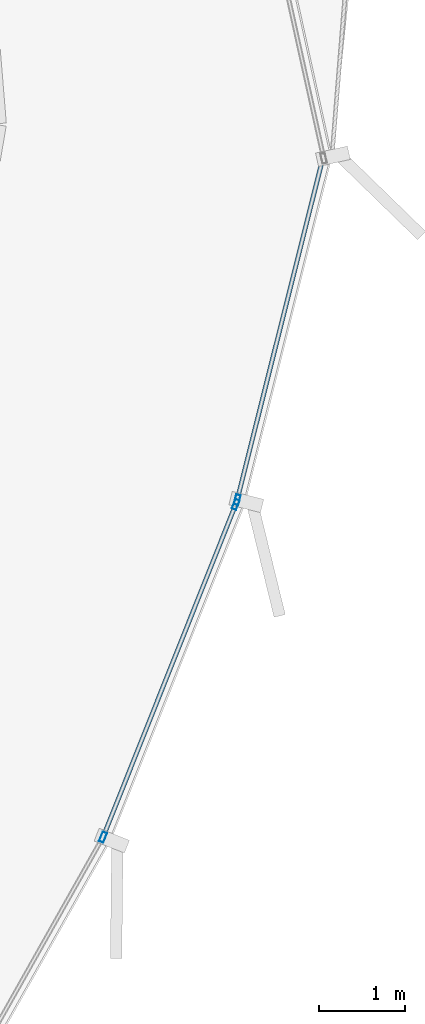
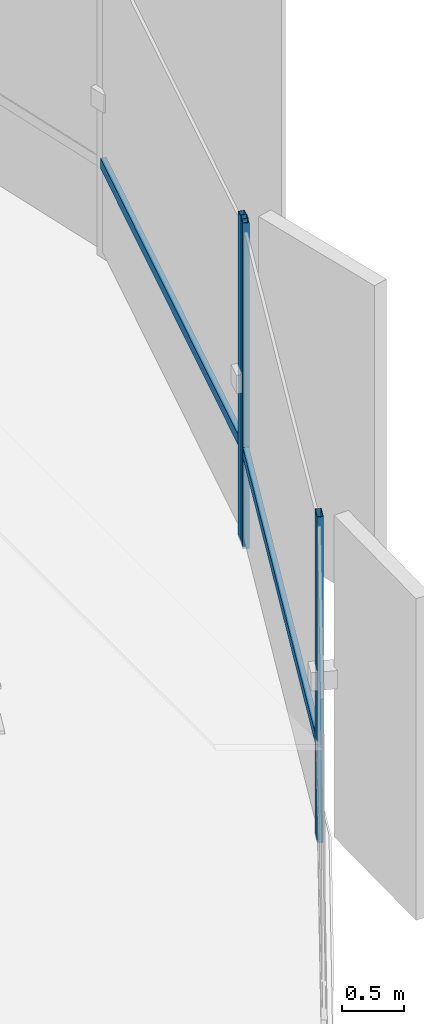
# One storey, part 15 of 34: 5 members, 2 elements without a shape of their own.
"""IFC4 building model written with IfcOpenShell, lengths in metres."""

from ifc_helpers import new_model, si_unit, direction, frame, origin, origin_2d, place, context, subcontext, project, spatial, hollow_rectangle, extrude, source, transform, mapped, material, layer, layer_set, material_profile, profile_set, type_object, element, aggregate, save


model = new_model("IFC4")

# Units and contexts
model_context = context("Model", 3, precision=1e-05, world=origin(), true_north=direction((0.0, 1.0)))
body_context = subcontext(model_context, "Body", "Model", "MODEL_VIEW")
ifc_project = project(units=[si_unit("LENGTHUNIT", "METRE"), si_unit("AREAUNIT", "SQUARE_METRE"), si_unit("VOLUMEUNIT", "CUBIC_METRE"), si_unit("PLANEANGLEUNIT", "RADIAN"), si_unit("MASSUNIT", "GRAM", prefix="KILO"), si_unit("THERMODYNAMICTEMPERATUREUNIT", "KELVIN")], contexts=[model_context])

# Site, building, storey
site_placement = place(None, origin())
site = spatial("IfcSite", under=ifc_project, at=site_placement, CompositionType="ELEMENT")
building_placement = place(site_placement, origin())
building = spatial("IfcBuilding", under=site, at=building_placement, Name="Kethvar Cultural Tower", CompositionType="ELEMENT")
storey_placement = place(building_placement, frame((0.0, 0.0, 231.85009765625)))
storey = spatial("IfcBuildingStorey", under=building, at=storey_placement, Name="L60", CompositionType="ELEMENT", Elevation=231.85009765625)

# Curtain wall, members
ifc_material = material(Name="Aluminium 6063-T6", Category="aluminium")
ifc_layer = layer(ifc_material, 0.179931640625, Name="Aluminium 6063-T6", Category="aluminium")
ifc_layer_set = layer_set([ifc_layer], Name="Aluminium 6063-T6 (180 mm)")
curtain_wall_type = type_object("IfcCurtainWallType", Name="CW-SYS-05-Z56", PredefinedType="NOTDEFINED", material=ifc_layer_set)
curtain_wall_1_placement = place(storey_placement, origin())
curtain_wall_1 = element("IfcCurtainWall", 1, at=curtain_wall_1_placement, inside=storey, type_object=curtain_wall_type, Name="L60 Curtain Wall Run 05", PredefinedType="NOTDEFINED")
ifc_material_profile_1 = material_profile(ifc_material, hollow_rectangle(XDim=0.054931640625, YDim=0.1201171875, WallThickness=0.00390625, at=origin_2d()), Name="Aluminium 6063-T6 — RHS120x55x4")
ifc_profile_set_1 = profile_set([ifc_material_profile_1], Name="Aluminium 6063-T6 — RHS120x55x4")
member_type_1 = type_object("IfcMemberType", Name="CW-SYS-05-Z56-MUL", PredefinedType="MULLION", material=ifc_profile_set_1)
shared_shape_1 = source(origin(), body_context, "Body", "SweptSolid", [
    extrude(hollow_rectangle(XDim=0.054931640625, YDim=0.1201171875, WallThickness=0.00390625, at=origin_2d()), origin(), (0.0, 0.0, 1.0), 3.2099609375),
])
member_1_placement = place(storey_placement, frame((65.69921875, 22.02099609375, 0.0), z_axis=(0.0, 0.0, 1.0), x_axis=(-0.928861283397, 0.37042774762, 0.0)))
member_1 = element("IfcMember", 2, at=member_1_placement, type_object=member_type_1, Name="CW-L60-R05 Mullion 6", PredefinedType="MULLION", context=body_context, shape_type="MappedRepresentation", body=[
    mapped(shared_shape_1, transform((0.0, 0.0, 0.0), scale=1.0)),
])
member_2_placement = place(storey_placement, frame((67.247802734375, 25.904052734375, 0.0), z_axis=(0.0, 0.0, 1.0), x_axis=(-0.928861283397, 0.37042774762, 0.0)))
member_2 = element("IfcMember", 3, at=member_2_placement, type_object=member_type_1, Name="CW-L60-R05 Mullion 7", PredefinedType="MULLION", context=body_context, shape_type="MappedRepresentation", body=[
    mapped(shared_shape_1, transform((0.0, 0.0, 0.0), scale=1.0)),
])

# Curtain wall, member
curtain_wall_2_placement = place(storey_placement, origin())
curtain_wall_2 = element("IfcCurtainWall", 4, at=curtain_wall_2_placement, inside=storey, type_object=curtain_wall_type, Name="L60 Curtain Wall Run 06", PredefinedType="NOTDEFINED")
member_3_placement = place(storey_placement, frame((67.265380859375, 25.959228515625, 0.0), z_axis=(0.0, 0.0, 1.0), x_axis=(-0.970012166584, 0.24305636523, 0.0)))
member_3 = element("IfcMember", 5, at=member_3_placement, type_object=member_type_1, Name="CW-L60-R06 Mullion 1", PredefinedType="MULLION", context=body_context, shape_type="MappedRepresentation", body=[
    mapped(shared_shape_1, transform((0.0, 0.0, 0.0), scale=1.0)),
])

# Member
ifc_material_profile_2 = material_profile(ifc_material, hollow_rectangle(XDim=0.050048828125, YDim=0.10009765625, WallThickness=0.00390625, at=origin_2d()), Name="Aluminium 6063-T6 — RHS100x50x4")
ifc_profile_set_2 = profile_set([ifc_material_profile_2], Name="Aluminium 6063-T6 — RHS100x50x4")
member_type_2 = type_object("IfcMemberType", Name="CW-SYS-05-Z56-TRN", PredefinedType="USERDEFINED", material=ifc_profile_set_2)
shared_shape_2 = source(origin(), body_context, "Body", "SweptSolid", [
    extrude(hollow_rectangle(XDim=0.050048828125, YDim=0.10009765625, WallThickness=0.00390625, at=origin_2d()), origin(), (0.0, 0.0, 1.0), 4.13671875),
])
member_4_placement = place(storey_placement, frame((65.7138671875, 22.057861328125, 0.949951171875), z_axis=(0.370393271418, 0.928875031685, 0.0), x_axis=(-0.928875031685, 0.370393271418, 0.0)))
member_4 = element("IfcMember", 6, at=member_4_placement, type_object=member_type_2, Name="CW-L60-R05 Transom 6", ObjectType="TRANSOM", PredefinedType="USERDEFINED", context=body_context, shape_type="MappedRepresentation", body=[
    mapped(shared_shape_2, transform((0.0, 0.0, 0.0), scale=1.0)),
])

aggregate(curtain_wall_1, [member_1, member_2, member_4])

shared_shape_3 = source(origin(), body_context, "Body", "SweptSolid", [
    extrude(hollow_rectangle(XDim=0.050048828125, YDim=0.10009765625, WallThickness=0.00390625, at=origin_2d()), origin(), (0.0, 0.0, 1.0), 4.11328125),
])
member_5_placement = place(storey_placement, frame((67.266357421875, 25.962890625, 0.949951171875), z_axis=(0.243052314652, 0.97001318153, 0.0), x_axis=(-0.97001318153, 0.243052314652, 0.0)))
member_5 = element("IfcMember", 7, at=member_5_placement, type_object=member_type_2, Name="CW-L60-R06 Transom 1", ObjectType="TRANSOM", PredefinedType="USERDEFINED", context=body_context, shape_type="MappedRepresentation", body=[
    mapped(shared_shape_3, transform((0.0, 0.0, 0.0), scale=1.0)),
])

aggregate(curtain_wall_2, [member_3, member_5])

save(model, "model.ifc")
